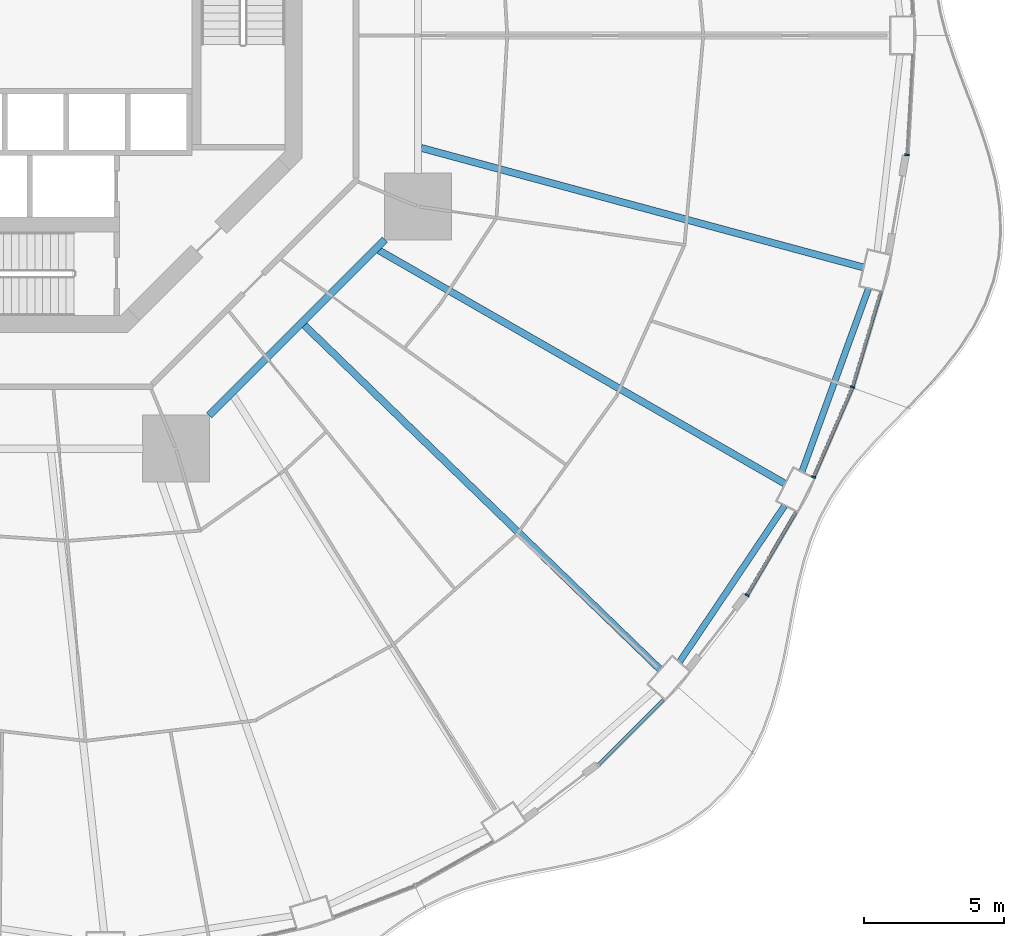
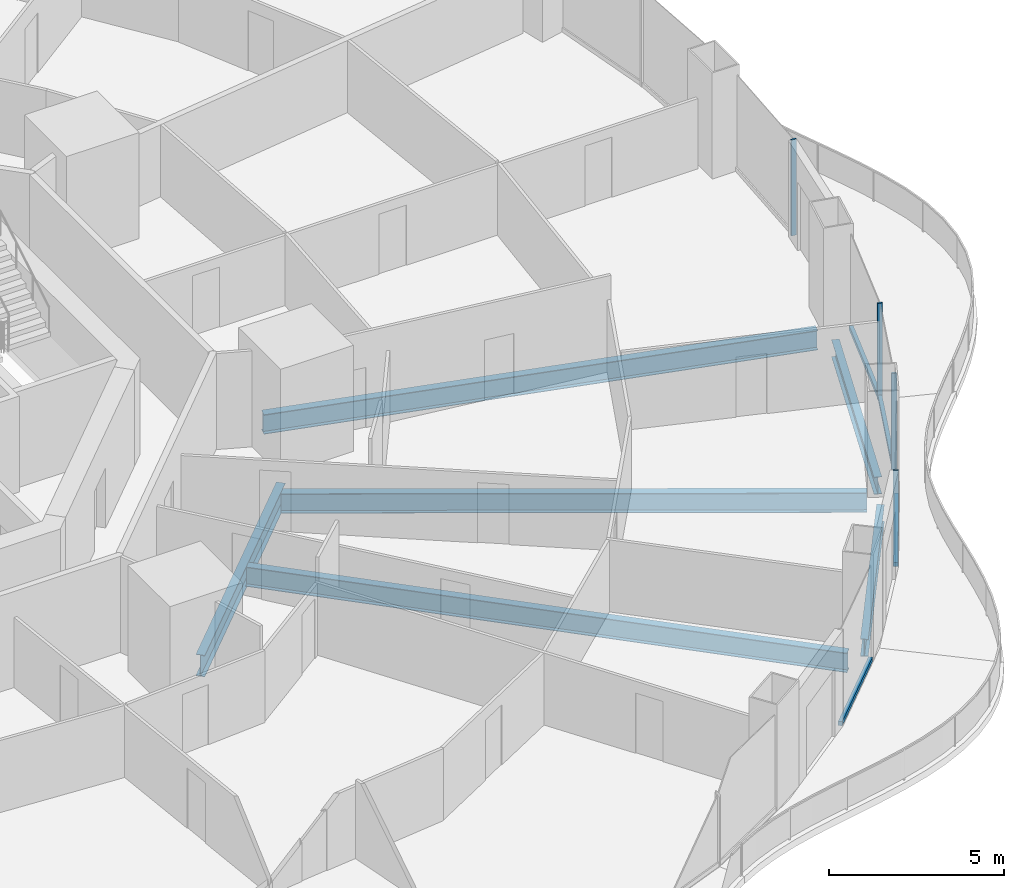
# One storey, part 5 of 22: 8 members, 6 beams, 5 elements without a shape of their own.
"""IFC4 building model written with IfcOpenShell, lengths in metres."""

from ifc_helpers import new_model, si_unit, direction, frame, origin, origin_2d, place, context, subcontext, project, spatial, rectangle, i_section, extrude, material, layer, layer_set, material_profile, profile_set, type_object, element, aggregate, save


model = new_model("IFC4")

# Units and contexts
model_context = context("Model", 3, precision=1e-05, world=origin(), true_north=direction((0.0, 1.0)))
body_context = subcontext(model_context, "Body", "Model", "MODEL_VIEW")
ifc_project = project(units=[si_unit("LENGTHUNIT", "METRE"), si_unit("AREAUNIT", "SQUARE_METRE"), si_unit("VOLUMEUNIT", "CUBIC_METRE"), si_unit("PLANEANGLEUNIT", "RADIAN"), si_unit("MASSUNIT", "GRAM", prefix="KILO")], contexts=[model_context])

# Site, building, storey
site_placement = place(None, origin())
site = spatial("IfcSite", under=ifc_project, at=site_placement, CompositionType="ELEMENT")
building_placement = place(site_placement, origin())
building = spatial("IfcBuilding", under=site, at=building_placement, Name="Nagisa Residences", CompositionType="ELEMENT")
storey_placement = place(building_placement, frame((0.0, 0.0, 64.0)))
storey = spatial("IfcBuildingStorey", under=building, at=storey_placement, Name="L15", CompositionType="ELEMENT", Elevation=64.0)

# Curtain wall, member
ifc_material_1 = material(Name="Concrete-coloured aluminium curtain wall system", Category="concrete")
ifc_layer = layer(ifc_material_1, 0.159912109375)
ifc_layer_set = layer_set([ifc_layer], Name="CW1 CURTAIN WALL")
curtain_wall_type = type_object("IfcCurtainWallType", Name="CW1 CURTAIN WALL", PredefinedType="NOTDEFINED", material=ifc_layer_set)
curtain_wall_1_placement = place(storey_placement, origin())
curtain_wall_1 = element("IfcCurtainWall", 1, at=curtain_wall_1_placement, inside=storey, type_object=curtain_wall_type, Name="cw:CW1:L15:43", PredefinedType="NOTDEFINED")
ifc_material_2 = material(Name="Concrete-coloured aluminium", Category="concrete")
ifc_material_profile_1 = material_profile(ifc_material_2, rectangle(XDim=0.159912109375, YDim=0.06005859375, at=origin_2d()), Name="CW1 MULLION 160x60")
ifc_profile_set_1 = profile_set([ifc_material_profile_1], Name="Concrete-coloured aluminium")
member_type_1 = type_object("IfcMemberType", Name="CW1 MULLION 160x60", PredefinedType="MULLION", material=ifc_profile_set_1)
member_1_placement = place(storey_placement, frame((26.553466796875, -20.022705078125, 0.0), z_axis=(0.0, 0.0, 1.0), x_axis=(-0.862328898214, 0.506348567002, 0.0)))
member_1 = element("IfcMember", 2, at=member_1_placement, type_object=member_type_1, Name="CW1 mullion", PredefinedType="MULLION", context=body_context, shape_type="SweptSolid", body=[
    extrude(rectangle(XDim=0.159912109375, YDim=0.06005859375, at=origin_2d()), origin(), (0.0, 0.0, 1.0), 3.35009765625),
])

curtain_wall_2_placement = place(storey_placement, origin())
curtain_wall_2 = element("IfcCurtainWall", 3, at=curtain_wall_2_placement, inside=storey, type_object=curtain_wall_type, Name="cw:CW1:L15:44", PredefinedType="NOTDEFINED")
member_2_placement = place(storey_placement, frame((28.931640625, -15.79833984375, 0.0), z_axis=(0.0, 0.0, 1.0), x_axis=(-0.917543276295, 0.397635934147, 0.0)))
member_2 = element("IfcMember", 4, at=member_2_placement, type_object=member_type_1, Name="CW1 mullion", PredefinedType="MULLION", context=body_context, shape_type="SweptSolid", body=[
    extrude(rectangle(XDim=0.159912109375, YDim=0.06005859375, at=origin_2d()), origin(), (0.0, 0.0, 1.0), 3.35009765625),
])

curtain_wall_3_placement = place(storey_placement, origin())
curtain_wall_3 = element("IfcCurtainWall", 5, at=curtain_wall_3_placement, inside=storey, type_object=curtain_wall_type, Name="cw:CW1:L15:45", PredefinedType="NOTDEFINED")
member_3_placement = place(storey_placement, frame((30.324462890625, -12.576904296875, 0.0), z_axis=(0.0, 0.0, 1.0), x_axis=(-0.958271310082, 0.285860274038, 0.0)))
member_3 = element("IfcMember", 6, at=member_3_placement, type_object=member_type_1, Name="CW1 mullion", PredefinedType="MULLION", context=body_context, shape_type="SweptSolid", body=[
    extrude(rectangle(XDim=0.159912109375, YDim=0.06005859375, at=origin_2d()), origin(), (0.0, 0.0, 1.0), 3.35009765625),
])

curtain_wall_4_placement = place(storey_placement, origin())
curtain_wall_4 = element("IfcCurtainWall", 7, at=curtain_wall_4_placement, inside=storey, type_object=curtain_wall_type, Name="cw:CW1:L15:47", PredefinedType="NOTDEFINED")
member_4_placement = place(storey_placement, frame((32.273681640625, -4.272705078125, 0.0), z_axis=(0.0, 0.0, 1.0), x_axis=(-0.998345305184, 0.057503492216, 0.0)))
member_4 = element("IfcMember", 8, at=member_4_placement, type_object=member_type_1, Name="CW1 mullion", PredefinedType="MULLION", context=body_context, shape_type="SweptSolid", body=[
    extrude(rectangle(XDim=0.159912109375, YDim=0.06005859375, at=origin_2d()), origin(), (0.0, 0.0, 1.0), 3.35009765625),
])
aggregate(curtain_wall_4, [member_4])

curtain_wall_5_placement = place(storey_placement, origin())
curtain_wall_5 = element("IfcCurtainWall", 9, at=curtain_wall_5_placement, inside=storey, type_object=curtain_wall_type, Name="cw:CW1:L15:41", PredefinedType="NOTDEFINED")
ifc_material_3 = material(Name="Concrete-coloured aluminium", Category="concrete")
ifc_material_profile_2 = material_profile(ifc_material_3, rectangle(XDim=0.1201171875, YDim=0.14990234375, at=origin_2d()), Name="CW1 TRANSOM 120x150")
ifc_profile_set_2 = profile_set([ifc_material_profile_2], Name="Concrete-coloured aluminium")
member_type_2 = type_object("IfcMemberType", Name="CW1 TRANSOM 120x150", PredefinedType="USERDEFINED", material=ifc_profile_set_2)
member_5_placement = place(storey_placement, frame((21.197509765625, -26.1240234375, 0.074951171875), z_axis=(0.707876350734, 0.706336373176, 0.0), x_axis=(-0.706336373176, 0.707876350734, 0.0)))
member_5 = element("IfcMember", 10, at=member_5_placement, type_object=member_type_2, Name="CW1 transom", ObjectType="TRANSOM", PredefinedType="USERDEFINED", context=body_context, shape_type="SweptSolid", body=[
    extrude(rectangle(XDim=0.1201171875, YDim=0.14990234375, at=origin_2d()), origin(), (0.0, 0.0, 1.0), 3.329345703125),
])
aggregate(curtain_wall_5, [member_5])

# Member
member_6_placement = place(storey_placement, frame((26.538330078125, -20.048583984375, 0.074951171875), z_axis=(0.506341951316, 0.862332782827, 0.0), x_axis=(-0.862332782827, 0.506341951316, 0.0)))
member_6 = element("IfcMember", 11, at=member_6_placement, type_object=member_type_2, Name="CW1 transom", ObjectType="TRANSOM", PredefinedType="USERDEFINED", context=body_context, shape_type="SweptSolid", body=[
    extrude(rectangle(XDim=0.1201171875, YDim=0.14990234375, at=origin_2d()), origin(), (0.0, 0.0, 1.0), 3.4619140625),
])

aggregate(curtain_wall_1, [member_1, member_6])

member_7_placement = place(storey_placement, frame((28.919677734375, -15.825927734375, 0.074951171875), z_axis=(0.397624958345, 0.917548032803, 0.0), x_axis=(-0.917548032803, 0.397624958345, 0.0)))
member_7 = element("IfcMember", 12, at=member_7_placement, type_object=member_type_2, Name="CW1 transom", ObjectType="TRANSOM", PredefinedType="USERDEFINED", context=body_context, shape_type="SweptSolid", body=[
    extrude(rectangle(XDim=0.1201171875, YDim=0.14990234375, at=origin_2d()), origin(), (0.0, 0.0, 1.0), 3.51953125),
])

aggregate(curtain_wall_2, [member_2, member_7])

member_8_placement = place(storey_placement, frame((30.31591796875, -12.605712890625, 0.074951171875), z_axis=(0.285871309426, 0.958268018065, 0.0), x_axis=(-0.958268018065, 0.285871309426, 0.0)))
member_8 = element("IfcMember", 13, at=member_8_placement, type_object=member_type_2, Name="CW1 transom", ObjectType="TRANSOM", PredefinedType="USERDEFINED", context=body_context, shape_type="SweptSolid", body=[
    extrude(rectangle(XDim=0.1201171875, YDim=0.14990234375, at=origin_2d()), origin(), (0.0, 0.0, 1.0), 3.5654296875),
])

aggregate(curtain_wall_3, [member_3, member_8])

# Beams
ifc_material_4 = material(Name="Steel ASTM A572 Gr 50", Category="steel")
ifc_material_profile_3 = material_profile(ifc_material_4, i_section(OverallWidth=0.264892578125, OverallDepth=0.7529296875, WebThickness=0.01318359375, FlangeThickness=0.01708984375, at=origin_2d()), Name="W760x147")
ifc_profile_set_3 = profile_set([ifc_material_profile_3], Name="Steel ASTM A572 Gr 50")
beam_type_1 = type_object("IfcBeamType", Name="Inner ring beam W760x147", PredefinedType="BEAM", material=ifc_profile_set_3)
beam_1_placement = place(storey_placement, frame((7.308837890625, -13.59619140625, -0.636474609375), z_axis=(0.707106781187, 0.707106781187, 0.0), x_axis=(-0.707106781187, 0.707106781187, 0.0)))
element("IfcBeam", 14, at=beam_1_placement, inside=storey, type_object=beam_type_1, Name="beam:L15:ib7", PredefinedType="BEAM", context=body_context, shape_type="SweptSolid", body=[
    extrude(i_section(OverallWidth=0.264892578125, OverallDepth=0.7529296875, WebThickness=0.01318359375, FlangeThickness=0.01708984375, at=origin_2d()), origin(), (0.0, 0.0, 1.0), 8.8916015625),
])
ifc_material_5 = material(Name="Steel ASTM A572 Gr 50", Category="steel")
ifc_material_profile_4 = material_profile(ifc_material_5, i_section(OverallWidth=0.22802734375, OverallDepth=0.60302734375, WebThickness=0.010498046875, FlangeThickness=0.014892578125, at=origin_2d()), Name="W610x101")
ifc_profile_set_4 = profile_set([ifc_material_profile_4], Name="Steel ASTM A572 Gr 50")
beam_type_2 = type_object("IfcBeamType", Name="Perimeter ring beam W610x101", PredefinedType="BEAM", material=ifc_profile_set_4)
beam_2_placement = place(storey_placement, frame((24.135498046875, -22.411865234375, -0.5615234375), z_axis=(0.558271879663, 0.829658067144, 0.0), x_axis=(-0.829658067144, 0.558271879663, 0.0)))
element("IfcBeam", 15, at=beam_2_placement, inside=storey, type_object=beam_type_2, Name="beam:L15:pb22", PredefinedType="BEAM", context=body_context, shape_type="SweptSolid", body=[
    extrude(i_section(OverallWidth=0.22802734375, OverallDepth=0.60302734375, WebThickness=0.010498046875, FlangeThickness=0.014892578125, at=origin_2d()), origin(), (0.0, 0.0, 1.0), 6.74169921875),
])
beam_3_placement = place(storey_placement, frame((28.515625, -15.60595703125, -0.5615234375), z_axis=(0.341411143183, 0.939914055279, 0.0), x_axis=(-0.939914055279, 0.341411143183, 0.0)))
element("IfcBeam", 16, at=beam_3_placement, inside=storey, type_object=beam_type_2, Name="beam:L15:pb23", PredefinedType="BEAM", context=body_context, shape_type="SweptSolid", body=[
    extrude(i_section(OverallWidth=0.22802734375, OverallDepth=0.60302734375, WebThickness=0.010498046875, FlangeThickness=0.014892578125, at=origin_2d()), origin(), (0.0, 0.0, 1.0), 6.96923828125),
])
ifc_material_6 = material(Name="Steel ASTM A572 Gr 50", Category="steel")
ifc_material_profile_5 = material_profile(ifc_material_6, i_section(OverallWidth=0.25390625, OverallDepth=0.68408203125, WebThickness=0.012451171875, FlangeThickness=0.018798828125, at=origin_2d()), Name="W690x140")
ifc_profile_set_5 = profile_set([ifc_material_profile_5], Name="Steel ASTM A572 Gr 50")
beam_type_3 = type_object("IfcBeamType", Name="Radial beam W690x140", PredefinedType="BEAM", material=ifc_profile_set_5)
beam_4_placement = place(storey_placement, frame((23.443115234375, -22.681640625, -0.60205078125), z_axis=(-0.718678305776, 0.695342716081, 0.0), x_axis=(-0.695342716081, -0.718678305776, 0.0)))
element("IfcBeam", 17, at=beam_4_placement, inside=storey, type_object=beam_type_3, Name="beam:L15:rb22", PredefinedType="BEAM", context=body_context, shape_type="SweptSolid", body=[
    extrude(i_section(OverallWidth=0.25390625, OverallDepth=0.68408203125, WebThickness=0.012451171875, FlangeThickness=0.018798828125, at=origin_2d()), origin(), (0.0, 0.0, 1.0), 17.722900390625),
])
beam_5_placement = place(storey_placement, frame((27.908447265625, -16.035400390625, -0.60205078125), z_axis=(-0.867068052258, 0.498189715623, 0.0), x_axis=(-0.498189715623, -0.867068052258, 0.0)))
element("IfcBeam", 18, at=beam_5_placement, inside=storey, type_object=beam_type_3, Name="beam:L15:rb23", PredefinedType="BEAM", context=body_context, shape_type="SweptSolid", body=[
    extrude(i_section(OverallWidth=0.25390625, OverallDepth=0.68408203125, WebThickness=0.012451171875, FlangeThickness=0.018798828125, at=origin_2d()), origin(), (0.0, 0.0, 1.0), 16.758056640625),
])
beam_6_placement = place(storey_placement, frame((30.713623046875, -8.29931640625, -0.60205078125), z_axis=(-0.965375968847, 0.260862490162, 0.0), x_axis=(-0.260862490162, -0.965375968847, 0.0)))
element("IfcBeam", 19, at=beam_6_placement, inside=storey, type_object=beam_type_3, Name="beam:L15:rb24", PredefinedType="BEAM", context=body_context, shape_type="SweptSolid", body=[
    extrude(i_section(OverallWidth=0.25390625, OverallDepth=0.68408203125, WebThickness=0.012451171875, FlangeThickness=0.018798828125, at=origin_2d()), origin(), (0.0, 0.0, 1.0), 16.3857421875),
])

save(model, "model.ifc")
